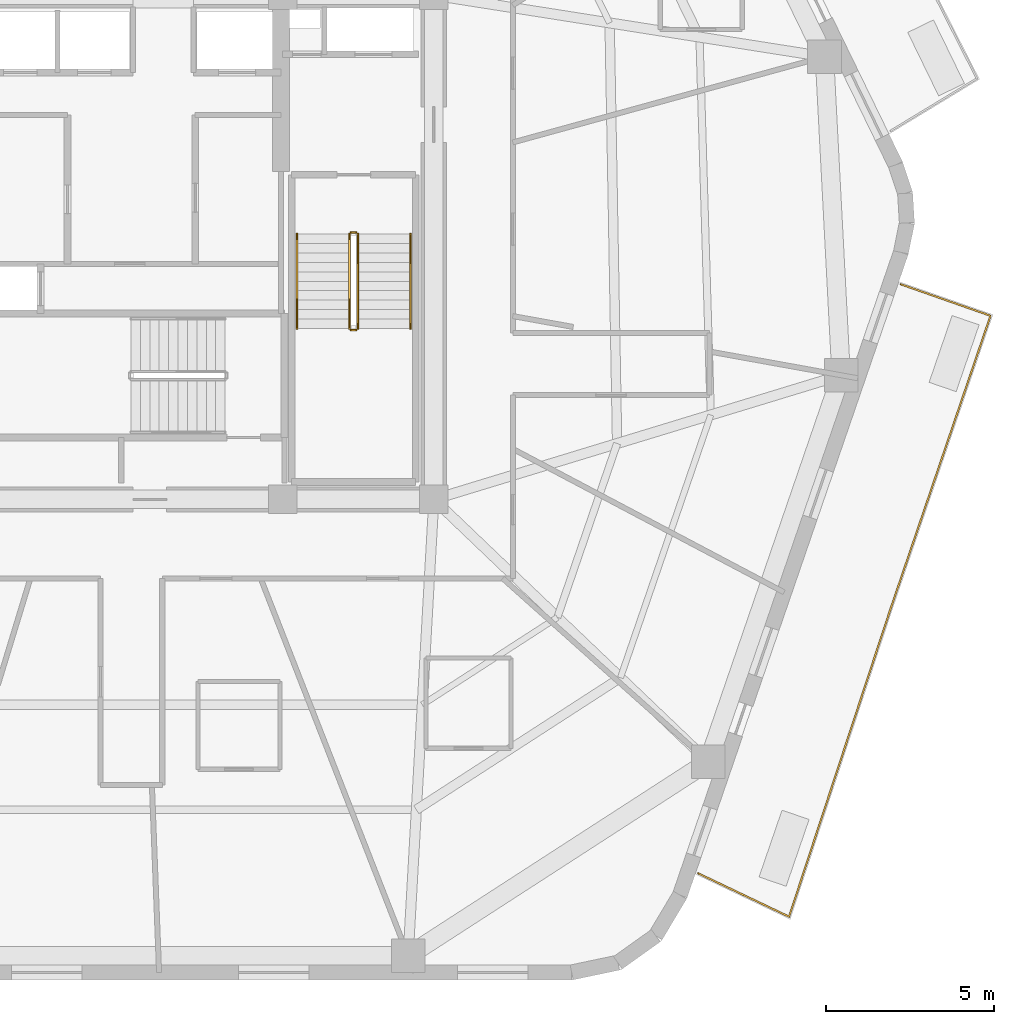
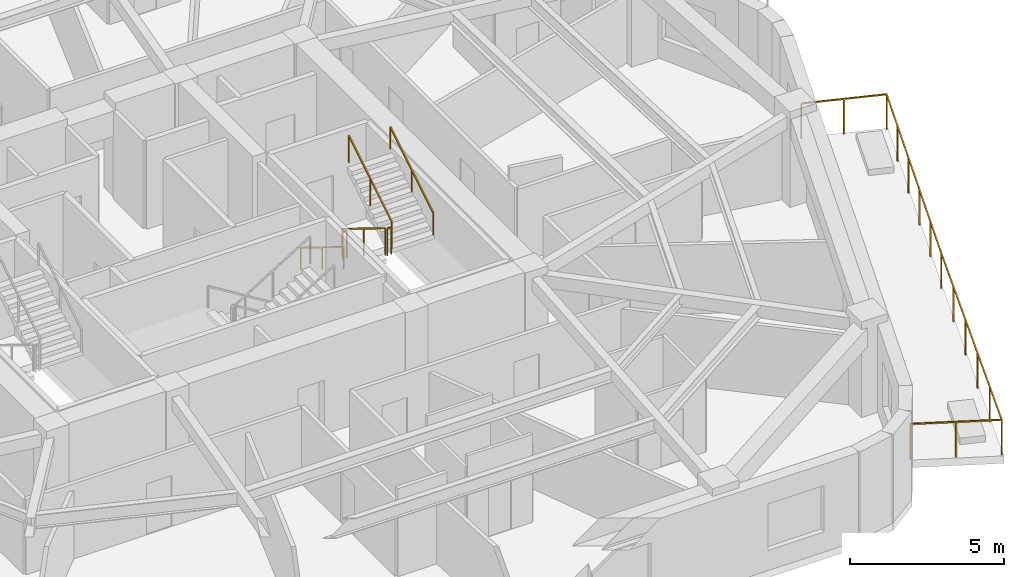
# One storey, part 8 of 9: 7 railings.
"""IFC4 building model written with IfcOpenShell, lengths in metres."""

import ifcopenshell
import ifcopenshell.guid

model = None  # the IFC model being written
_history = None  # IfcOwnerHistory: only IFC2X3 demands one
_inside = {}  # id of a spatial element -> (the spatial element, [elements in it])
_under = {}  # id of a project, library or spatial element -> (it, [spatial elements below it])
_declared = {}  # id of a project -> (the project, [libraries it declares])
_typed = {}  # id of a type object -> (the type object, [elements of that type])
_made_of = {}  # id of a material, layer set ... -> (it, [elements and type objects made of it])


def new_model(schema):
    """Start an empty IFC model of exactly this schema.

    Asked for "IFC4X3", IfcOpenShell would pick the latest addendum, in which some entities
    have other attributes; the version numbers below select the first issue.
    IFC2X3 requires an IfcOwnerHistory on every rooted entity: one is made here for all.
    """
    global model, _history
    if schema == "IFC4X3":
        model = ifcopenshell.file(schema_version=(4, 3, 0, 0))
    else:
        model = ifcopenshell.file(schema=schema)
    _inside.clear()
    _under.clear()
    _declared.clear()
    _typed.clear()
    _made_of.clear()
    _history = None
    if model.schema == "IFC2X3":
        org = make("IfcOrganization", Name="unknown")
        user = make(
            "IfcPersonAndOrganization",
            ThePerson=make("IfcPerson", FamilyName="unknown"),
            TheOrganization=org,
        )
        app = make(
            "IfcApplication",
            ApplicationDeveloper=org,
            Version="unknown",
            ApplicationFullName="unknown",
            ApplicationIdentifier="unknown",
        )
        _history = make(
            "IfcOwnerHistory",
            OwningUser=user,
            OwningApplication=app,
            ChangeAction="ADDED",
            CreationDate=0,
        )
    return model


def make(cls, **values):
    """One entity of the class cls with the attributes given. An attribute that is None is left unset."""
    return model.create_entity(
        cls, **{name: value for name, value in values.items() if value is not None}
    )


def rooted(cls, **values):
    """An entity with a GlobalId (a new one), such as an element, a storey or a relation."""
    return make(cls, GlobalId=ifcopenshell.guid.new(), OwnerHistory=_history, **values)


def si_unit(unit_type, name, prefix=None):
    """IfcSIUnit, for example si_unit("LENGTHUNIT", "METRE", prefix="MILLI")."""
    return make("IfcSIUnit", UnitType=unit_type, Prefix=prefix, Name=name)


def assignment(units):
    """IfcUnitAssignment: the units of a project."""
    return None if units is None else make("IfcUnitAssignment", Units=units)


def point(xyz):
    """IfcCartesianPoint."""
    return None if xyz is None else make("IfcCartesianPoint", Coordinates=xyz)


def direction(xyz):
    """IfcDirection."""
    return None if xyz is None else make("IfcDirection", DirectionRatios=xyz)


def frame(location, z_axis=None, x_axis=None):
    """IfcAxis2Placement3D, a coordinate frame: its origin and axes. An axis left out is left unset."""
    return make(
        "IfcAxis2Placement3D",
        Location=point(location),
        Axis=direction(z_axis),
        RefDirection=direction(x_axis),
    )


def frame_2d(location, x_axis=None):
    """IfcAxis2Placement2D, a coordinate frame in the plane: its origin and x axis."""
    return make(
        "IfcAxis2Placement2D", Location=point(location), RefDirection=direction(x_axis)
    )


def origin():
    """The frame at (0, 0, 0) with its axes left unset."""
    return frame((0.0, 0.0, 0.0))


def origin_2d():
    """The frame at (0, 0) in the plane with its x axis left unset."""
    return frame_2d((0.0, 0.0))


def place(relative_to, where):
    """IfcLocalPlacement: puts the frame where relative to a parent placement (None: the world)."""
    return make(
        "IfcLocalPlacement", PlacementRelTo=relative_to, RelativePlacement=where
    )


def context(
    kind, dimensions, precision=None, world=None, true_north=None, identifier=None
):
    """IfcGeometricRepresentationContext, for example the 3D "Model" context."""
    return make(
        "IfcGeometricRepresentationContext",
        ContextIdentifier=identifier,
        ContextType=kind,
        CoordinateSpaceDimension=dimensions,
        Precision=precision,
        WorldCoordinateSystem=world,
        TrueNorth=true_north,
    )


def subcontext(parent, identifier, kind, view, scale=None):
    """IfcGeometricRepresentationSubContext, for example "Body" below "Model"."""
    return make(
        "IfcGeometricRepresentationSubContext",
        ContextIdentifier=identifier,
        ContextType=kind,
        ParentContext=parent,
        TargetScale=scale,
        TargetView=view,
    )


def project(units=None, contexts=None):
    """IfcProject with its units and contexts."""
    return rooted(
        "IfcProject",
        Name="project",
        RepresentationContexts=contexts,
        UnitsInContext=assignment(units),
    )


def spatial(cls, under=None, at=None, **own):
    """A site, building, storey or space (cls), placed at a placement, below another one or the project."""
    s = rooted(cls, ObjectPlacement=at, **own)
    if under is not None:
        _under.setdefault(under.id(), (under, []))[1].append(s)
    return s


def profile(cls, at=None, kind="AREA", **sizes):
    """A parametric profile (cls). Its sizes go by their IFC names, for example OverallWidth=200.0."""
    return make(cls, ProfileType=kind, Position=at, **sizes)


def rectangle(**sizes):
    """IfcRectangleProfileDef."""
    return profile("IfcRectangleProfileDef", **sizes)


def extrude(swept, where, along, depth):
    """IfcExtrudedAreaSolid: the profile swept, set in the frame where, extruded along a direction by depth."""
    return make(
        "IfcExtrudedAreaSolid",
        SweptArea=swept,
        Position=where,
        ExtrudedDirection=direction(along),
        Depth=depth,
    )


def shape(context_of_items, identifier, shape_type, items):
    """IfcShapeRepresentation: the items that make up one representation, for example the "Body"."""
    return make(
        "IfcShapeRepresentation",
        ContextOfItems=context_of_items,
        RepresentationIdentifier=identifier,
        RepresentationType=shape_type,
        Items=items,
    )


def material(Name=None, Category=None):
    """IfcMaterial."""
    return make("IfcMaterial", Name=Name, Category=Category)


def layer(
    of_material, thickness, ventilated=None, Name=None, Category=None, Priority=None
):
    """IfcMaterialLayer: one layer of a wall or slab, of a material (None: an air gap)."""
    return make(
        "IfcMaterialLayer",
        Material=of_material,
        LayerThickness=thickness,
        IsVentilated=ventilated,
        Name=Name,
        Category=Category,
        Priority=Priority,
    )


def layer_set(layers, Name=None):
    """IfcMaterialLayerSet."""
    return make("IfcMaterialLayerSet", MaterialLayers=layers, LayerSetName=Name)


def made_of(thing, what):
    """Note that an element or type object is made of a material, layer set ...; save() writes the relation."""
    if what is not None:
        _made_of.setdefault(what.id(), (what, []))[1].append(thing)
    return thing


def type_object(cls, material=None, **own):
    """A type object (cls), such as IfcWallType, which elements share."""
    return made_of(rooted(cls, **own), material)


def element(
    cls,
    number,
    at=None,
    inside=None,
    cuts=None,
    type_object=None,
    material=None,
    context=None,
    identifier="Body",
    shape_type=None,
    held_by="IfcProductDefinitionShape",
    body=None,
    shapes=None,
    **own,
):
    """One element of the class cls, such as IfcWall. Its Tag is "e" and its number.

    at: its placement. inside: the storey or other place that contains it. cuts: it is an
    opening in that element (IfcRelVoidsElement). A single representation is given by context,
    identifier, shape_type and body (its items); several are given by shapes. held_by: the class
    of the entity that holds the representations. save() writes the other relations.
    """
    e = rooted(cls, Tag="e%d" % number, ObjectPlacement=at, **own)
    if body is not None:
        shapes = [shape(context, identifier, shape_type, body)]
    if shapes is not None:
        e.Representation = make(held_by, Representations=shapes)
    if inside is not None:
        _inside.setdefault(inside.id(), (inside, []))[1].append(e)
    if cuts is not None:
        rooted(
            "IfcRelVoidsElement", RelatingBuildingElement=cuts, RelatedOpeningElement=e
        )
    if type_object is not None:
        _typed.setdefault(type_object.id(), (type_object, []))[1].append(e)
    return made_of(e, material)


def aggregate(whole, parts):
    """IfcRelAggregates: a whole, such as a stair, and the parts it consists of."""
    return rooted("IfcRelAggregates", RelatingObject=whole, RelatedObjects=parts)


def save(model, path):
    """Write the relations noted so far, then the file.

    IfcRelAggregates (storeys below a building ...), IfcRelContainedInSpatialStructure (elements
    in a storey), IfcRelDefinesByType, IfcRelAssociatesMaterial and IfcRelDeclares: one each for
    every whole, place, type object, material and project.
    """
    for whole, parts in _under.values():
        aggregate(whole, parts)
    for where, things in _inside.values():
        rooted(
            "IfcRelContainedInSpatialStructure",
            RelatedElements=things,
            RelatingStructure=where,
        )
    for kind, things in _typed.values():
        rooted("IfcRelDefinesByType", RelatedObjects=things, RelatingType=kind)
    for what, things in _made_of.values():
        rooted("IfcRelAssociatesMaterial", RelatedObjects=things, RelatingMaterial=what)
    for by, libraries in _declared.values():
        rooted("IfcRelDeclares", RelatingContext=by, RelatedDefinitions=libraries)
    model.write(path)


model = new_model("IFC4")

# Units and contexts
model_context = context("Model", 3, precision=1e-05, world=origin(), true_north=direction((0.0, 1.0)))
body_context = subcontext(model_context, "Body", "Model", "MODEL_VIEW")
ifc_project = project(units=[si_unit("LENGTHUNIT", "METRE"), si_unit("AREAUNIT", "SQUARE_METRE"), si_unit("VOLUMEUNIT", "CUBIC_METRE"), si_unit("PLANEANGLEUNIT", "RADIAN"), si_unit("MASSUNIT", "GRAM", prefix="KILO")], contexts=[model_context])

# Site, building, storey
site_placement = place(None, origin())
site = spatial("IfcSite", under=ifc_project, at=site_placement, CompositionType="ELEMENT")
building_placement = place(site_placement, origin())
building = spatial("IfcBuilding", under=site, at=building_placement, Name="Kilnhurst Terrace Hotel", CompositionType="ELEMENT")
storey_placement = place(building_placement, frame((0.0, 0.0, 236.89990234375)))
storey = spatial("IfcBuildingStorey", under=building, at=storey_placement, Name="L59", CompositionType="ELEMENT", Elevation=236.89990234375)

# Railings
ifc_material_1 = material(Name="Laminated SentryGlas and Stainless Steel AISI 316L Balustrade", Category="steel")
ifc_layer_1 = layer(ifc_material_1, 0.070068359375, Name="Laminated SentryGlas and Stainless Steel AISI 316L Balustrade")
ifc_layer_set_1 = layer_set([ifc_layer_1], Name="Laminated SentryGlas and Stainless Steel AISI 316L Balustrade")
railing_type_1 = type_object("IfcRailingType", Name="RLG-BAL-1420", PredefinedType="BALUSTRADE", material=ifc_layer_set_1)
railing_1_placement = place(storey_placement, frame((22.894287109375, -1.1005859375, 0.0)))
element("IfcRailing", 1, at=railing_1_placement, inside=storey, type_object=railing_type_1, Name="L59 Exterior Terrace Guardrail BAL-L1A.1", PredefinedType="BALUSTRADE", context=body_context, shape_type="SweptSolid", body=[
    extrude(rectangle(XDim=0.048095703125, YDim=0.048095703125, at=origin_2d()), frame((0.0, 0.0, 1.39599609375), z_axis=(0.943611810029, -0.331054001597, 0.0), x_axis=(0.331054001597, 0.943611810029, 0.0)), (0.0, 0.0, 1.0), 2.828125),
    extrude(rectangle(XDim=0.048095703125, YDim=0.048095703125, at=origin_2d()), frame((2.668701171875, -0.936279296875, 1.39599609375), z_axis=(-0.322845243604, -0.946451767753, 0.0), x_axis=(0.946451767753, -0.322845243604, 0.0)), (0.0, 0.0, 1.0), 9.19775390625),
    extrude(rectangle(XDim=0.048095703125, YDim=0.048095703125, at=origin_2d()), frame((-0.30078125, -9.6416015625, 1.39599609375), z_axis=(-0.316227766017, -0.948683298051, 0.0), x_axis=(0.948683298051, -0.316227766017, 0.0)), (0.0, 0.0, 1.0), 0.000732421875),
    extrude(rectangle(XDim=0.048095703125, YDim=0.048095703125, at=origin_2d()), frame((-0.301025390625, -9.642333984375, 1.39599609375), z_axis=(-0.31308682558, -0.949724507238, 0.0), x_axis=(0.949724507238, -0.31308682558, 0.0)), (0.0, 0.0, 1.0), 9.6591796875),
    extrude(rectangle(XDim=0.048095703125, YDim=0.048095703125, at=origin_2d()), frame((-3.3251953125, -18.81591796875, 1.39599609375), z_axis=(-0.902564652544, 0.430554349622, 0.0), x_axis=(-0.430554349622, -0.902564652544, 0.0)), (0.0, 0.0, 1.0), 2.99169921875),
    extrude(rectangle(XDim=0.0419921875, YDim=0.0419921875, at=origin_2d()), origin(), (0.0, 0.0, 1.0), 1.371826171875),
    extrude(rectangle(XDim=0.0419921875, YDim=0.0419921875, at=origin_2d()), frame((1.33447265625, -0.46826171875, 0.0)), (0.0, 0.0, 1.0), 1.371826171875),
    extrude(rectangle(XDim=0.0419921875, YDim=0.0419921875, at=origin_2d()), frame((2.668701171875, -0.936279296875, 0.0)), (0.0, 0.0, 1.0), 1.371826171875),
    extrude(rectangle(XDim=0.0419921875, YDim=0.0419921875, at=origin_2d()), frame((2.07470703125, -2.67724609375, 0.0)), (0.0, 0.0, 1.0), 1.371826171875),
    extrude(rectangle(XDim=0.0419921875, YDim=0.0419921875, at=origin_2d()), frame((1.48095703125, -4.41845703125, 0.0)), (0.0, 0.0, 1.0), 1.371826171875),
    extrude(rectangle(XDim=0.0419921875, YDim=0.0419921875, at=origin_2d()), frame((0.886962890625, -6.159423828125, 0.0)), (0.0, 0.0, 1.0), 1.371826171875),
    extrude(rectangle(XDim=0.0419921875, YDim=0.0419921875, at=origin_2d()), frame((0.293212890625, -7.900634765625, 0.0)), (0.0, 0.0, 1.0), 1.371826171875),
    extrude(rectangle(XDim=0.0419921875, YDim=0.0419921875, at=origin_2d()), frame((-0.30078125, -9.6416015625, 0.0)), (0.0, 0.0, 1.0), 1.371826171875),
    extrude(rectangle(XDim=0.0419921875, YDim=0.0419921875, at=origin_2d()), frame((-0.301025390625, -9.642333984375, 0.0)), (0.0, 0.0, 1.0), 1.371826171875),
    extrude(rectangle(XDim=0.0419921875, YDim=0.0419921875, at=origin_2d()), frame((-0.90576171875, -11.47705078125, 0.0)), (0.0, 0.0, 1.0), 1.371826171875),
    extrude(rectangle(XDim=0.0419921875, YDim=0.0419921875, at=origin_2d()), frame((-1.5107421875, -13.311767578125, 0.0)), (0.0, 0.0, 1.0), 1.371826171875),
    extrude(rectangle(XDim=0.0419921875, YDim=0.0419921875, at=origin_2d()), frame((-2.115478515625, -15.146484375, 0.0)), (0.0, 0.0, 1.0), 1.371826171875),
    extrude(rectangle(XDim=0.0419921875, YDim=0.0419921875, at=origin_2d()), frame((-2.720458984375, -16.981201171875, 0.0)), (0.0, 0.0, 1.0), 1.371826171875),
    extrude(rectangle(XDim=0.0419921875, YDim=0.0419921875, at=origin_2d()), frame((-3.3251953125, -18.81591796875, 0.0)), (0.0, 0.0, 1.0), 1.371826171875),
    extrude(rectangle(XDim=0.0419921875, YDim=0.0419921875, at=origin_2d()), frame((-4.67529296875, -18.171875, 0.0)), (0.0, 0.0, 1.0), 1.371826171875),
    extrude(rectangle(XDim=0.0419921875, YDim=0.0419921875, at=origin_2d()), frame((-6.025390625, -17.52783203125, 0.0)), (0.0, 0.0, 1.0), 1.371826171875),
])
ifc_material_2 = material(Name="Powder-Coated Steel ASTM A500 Grade B", Category="steel")
ifc_layer_2 = layer(ifc_material_2, 0.050048828125, Name="Powder-Coated Steel ASTM A500 Grade B")
ifc_layer_set_2 = layer_set([ifc_layer_2], Name="Powder-Coated Steel ASTM A500 Grade B")
railing_type_2 = type_object("IfcRailingType", Name="RLG-ST-GRD-1100", PredefinedType="GUARDRAIL", material=ifc_layer_set_2)
railing_2_placement = place(storey_placement, frame((6.489990234375, 0.389892578125, 0.1728515625)))
element("IfcRailing", 2, at=railing_2_placement, inside=storey, type_object=railing_type_2, Name="L59 ST-2 stair guard 1", PredefinedType="GUARDRAIL", context=body_context, shape_type="SweptSolid", body=[
    extrude(rectangle(XDim=0.048095703125, YDim=0.048095703125, at=origin_2d()), frame((0.0, 0.0, 1.076171875), z_axis=(0.0, -0.851069175582, 0.525053576669), x_axis=(1.0, 0.0, 0.0)), (0.0, 0.0, 1.0), 3.289794921875),
    extrude(rectangle(XDim=0.0419921875, YDim=0.0419921875, at=origin_2d()), origin(), (0.0, 0.0, 1.0), 1.052001953125),
    extrude(rectangle(XDim=0.0419921875, YDim=0.0419921875, at=origin_2d()), frame((0.0, -1.39990234375, 0.86376953125)), (0.0, 0.0, 1.0), 1.052001953125),
    extrude(rectangle(XDim=0.0419921875, YDim=0.0419921875, at=origin_2d()), frame((0.0, -2.7998046875, 1.727294921875)), (0.0, 0.0, 1.0), 1.052001953125),
])
railing_3_placement = place(storey_placement, frame((6.5400390625, -2.4599609375, 1.900146484375)))
element("IfcRailing", 3, at=railing_3_placement, inside=storey, type_object=railing_type_2, Name="L59 ST-2 stair guard 2", PredefinedType="GUARDRAIL", context=body_context, shape_type="SweptSolid", body=[
    extrude(rectangle(XDim=0.048095703125, YDim=0.048095703125, at=origin_2d()), frame((0.0, 0.0, 1.076171875), z_axis=(1.0, 0.0, 0.0), x_axis=(0.0, 1.0, 0.0)), (0.0, 0.0, 1.0), 0.14990234375),
    extrude(rectangle(XDim=0.0419921875, YDim=0.0419921875, at=origin_2d()), origin(), (0.0, 0.0, 1.0), 1.052001953125),
    extrude(rectangle(XDim=0.0419921875, YDim=0.0419921875, at=origin_2d()), frame((0.14990234375, 0.0, 0.0)), (0.0, 0.0, 1.0), 1.052001953125),
])
railing_4_placement = place(storey_placement, frame((6.739990234375, -2.409912109375, 2.07275390625)))
element("IfcRailing", 4, at=railing_4_placement, inside=storey, type_object=railing_type_2, Name="L59 ST-2 stair guard 3", PredefinedType="GUARDRAIL", context=body_context, shape_type="SweptSolid", body=[
    extrude(rectangle(XDim=0.048095703125, YDim=0.048095703125, at=origin_2d()), frame((0.0, 0.0, 1.076171875), z_axis=(0.0, 0.851069175582, 0.525053576669), x_axis=(-1.0, 0.0, 0.0)), (0.0, 0.0, 1.0), 3.289794921875),
    extrude(rectangle(XDim=0.0419921875, YDim=0.0419921875, at=origin_2d()), origin(), (0.0, 0.0, 1.0), 1.052001953125),
    extrude(rectangle(XDim=0.0419921875, YDim=0.0419921875, at=origin_2d()), frame((0.0, 1.39990234375, 0.86376953125)), (0.0, 0.0, 1.0), 1.052001953125),
    extrude(rectangle(XDim=0.0419921875, YDim=0.0419921875, at=origin_2d()), frame((0.0, 2.7998046875, 1.727294921875)), (0.0, 0.0, 1.0), 1.052001953125),
])
railing_5_placement = place(storey_placement, frame((6.5400390625, 0.43994140625, 0.0)))
element("IfcRailing", 5, at=railing_5_placement, inside=storey, type_object=railing_type_2, Name="L59 ST-2 stair guard 4", PredefinedType="GUARDRAIL", context=body_context, shape_type="SweptSolid", body=[
    extrude(rectangle(XDim=0.048095703125, YDim=0.048095703125, at=origin_2d()), frame((0.0, 0.0, 1.076171875), z_axis=(1.0, 0.0, 0.0), x_axis=(0.0, 1.0, 0.0)), (0.0, 0.0, 1.0), 0.14990234375),
    extrude(rectangle(XDim=0.0419921875, YDim=0.0419921875, at=origin_2d()), origin(), (0.0, 0.0, 1.0), 1.052001953125),
    extrude(rectangle(XDim=0.0419921875, YDim=0.0419921875, at=origin_2d()), frame((0.14990234375, 0.0, 0.0)), (0.0, 0.0, 1.0), 1.052001953125),
])
ifc_material_3 = material(Name="Brushed Stainless Steel AISI 304", Category="steel")
ifc_layer_3 = layer(ifc_material_3, 0.048095703125, Name="Brushed Stainless Steel AISI 304")
ifc_layer_set_3 = layer_set([ifc_layer_3], Name="Brushed Stainless Steel AISI 304")
railing_type_3 = type_object("IfcRailingType", Name="RLG-ST-HRL-900", PredefinedType="HANDRAIL", material=ifc_layer_set_3)
railing_6_placement = place(storey_placement, frame((4.929931640625, 0.389892578125, 0.1728515625)))
element("IfcRailing", 6, at=railing_6_placement, inside=storey, type_object=railing_type_3, Name="L59 ST-2 stair handrail 1", PredefinedType="HANDRAIL", context=body_context, shape_type="SweptSolid", body=[
    extrude(rectangle(XDim=0.048095703125, YDim=0.048095703125, at=origin_2d()), frame((0.0, 0.0, 0.8759765625), z_axis=(0.0, -0.851069175582, 0.525053576669), x_axis=(1.0, 0.0, 0.0)), (0.0, 0.0, 1.0), 3.289794921875),
    extrude(rectangle(XDim=0.0419921875, YDim=0.0419921875, at=origin_2d()), origin(), (0.0, 0.0, 1.0), 0.851806640625),
    extrude(rectangle(XDim=0.0419921875, YDim=0.0419921875, at=origin_2d()), frame((0.0, -1.39990234375, 0.86376953125)), (0.0, 0.0, 1.0), 0.851806640625),
    extrude(rectangle(XDim=0.0419921875, YDim=0.0419921875, at=origin_2d()), frame((0.0, -2.7998046875, 1.727294921875)), (0.0, 0.0, 1.0), 0.851806640625),
])
railing_7_placement = place(storey_placement, frame((8.300048828125, -2.409912109375, 2.07275390625)))
element("IfcRailing", 7, at=railing_7_placement, inside=storey, type_object=railing_type_3, Name="L59 ST-2 stair handrail 2", PredefinedType="HANDRAIL", context=body_context, shape_type="SweptSolid", body=[
    extrude(rectangle(XDim=0.048095703125, YDim=0.048095703125, at=origin_2d()), frame((0.0, 0.0, 0.8759765625), z_axis=(0.0, 0.851069175582, 0.525053576669), x_axis=(-1.0, 0.0, 0.0)), (0.0, 0.0, 1.0), 3.289794921875),
    extrude(rectangle(XDim=0.0419921875, YDim=0.0419921875, at=origin_2d()), origin(), (0.0, 0.0, 1.0), 0.851806640625),
    extrude(rectangle(XDim=0.0419921875, YDim=0.0419921875, at=origin_2d()), frame((0.0, 1.39990234375, 0.86376953125)), (0.0, 0.0, 1.0), 0.851806640625),
    extrude(rectangle(XDim=0.0419921875, YDim=0.0419921875, at=origin_2d()), frame((0.0, 2.7998046875, 1.727294921875)), (0.0, 0.0, 1.0), 0.851806640625),
])

save(model, "model.ifc")
